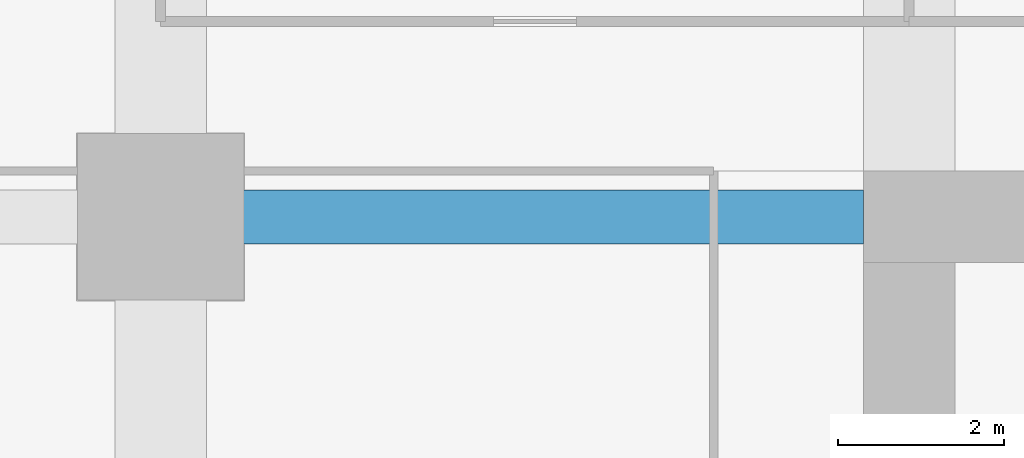
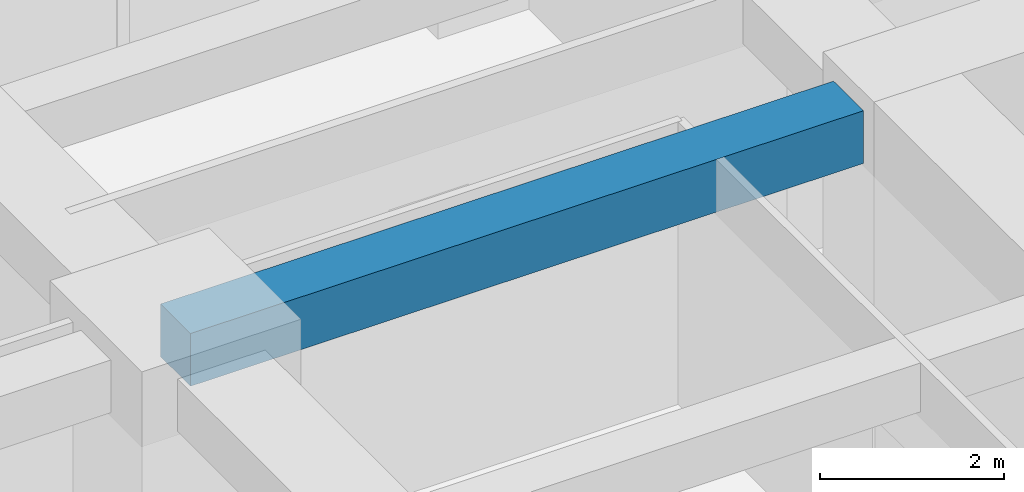
# One storey, part 25 of 41: 1 beam.
"""IFC4 building model written with IfcOpenShell, lengths in metres."""

from ifc_helpers import new_model, si_unit, direction, frame, origin, origin_2d, place, context, subcontext, project, spatial, rectangle, extrude, material, material_profile, profile_set, type_object, element, save


model = new_model("IFC4")

# Units and contexts
model_context = context("Model", 3, precision=1e-05, world=origin(), true_north=direction((0.0, 1.0)))
body_context = subcontext(model_context, "Body", "Model", "MODEL_VIEW")
ifc_project = project(units=[si_unit("LENGTHUNIT", "METRE"), si_unit("AREAUNIT", "SQUARE_METRE"), si_unit("VOLUMEUNIT", "CUBIC_METRE"), si_unit("PLANEANGLEUNIT", "RADIAN"), si_unit("MASSUNIT", "GRAM", prefix="KILO")], contexts=[model_context])

# Site, building, storey
site_placement = place(None, origin())
site = spatial("IfcSite", under=ifc_project, at=site_placement, CompositionType="ELEMENT")
building_placement = place(site_placement, origin())
building = spatial("IfcBuilding", under=site, at=building_placement, Name="Zorevar Civic Tower", CompositionType="ELEMENT")
storey_placement = place(building_placement, frame((0.0, 0.0, 105.0)))
storey = spatial("IfcBuildingStorey", under=building, at=storey_placement, Name="L25", CompositionType="ELEMENT", Elevation=105.0)

# Beam
ifc_material = material(Name="Concrete C50/60", Category="concrete")
ifc_material_profile = material_profile(ifc_material, rectangle(XDim=0.64990234375, YDim=0.699951171875, at=origin_2d()), Name="RC 650x700")
ifc_profile_set = profile_set([ifc_material_profile], Name="Concrete C50/60")
beam_type = type_object("IfcBeamType", Name="Beam RC 650x700", PredefinedType="BEAM", material=ifc_profile_set)
beam_placement = place(storey_placement, frame((9.0, 36.0, 3.39990234375), z_axis=(1.0, 0.0, 0.0), x_axis=(0.0, 1.0, 0.0)))
element("IfcBeam", 1, at=beam_placement, inside=storey, type_object=beam_type, Name="Girder L26", PredefinedType="BEAM", context=body_context, shape_type="SweptSolid", body=[
    extrude(rectangle(XDim=0.64990234375, YDim=0.699951171875, at=origin_2d()), origin(), (0.0, 0.0, 1.0), 8.449951171875),
])

save(model, "model.ifc")
